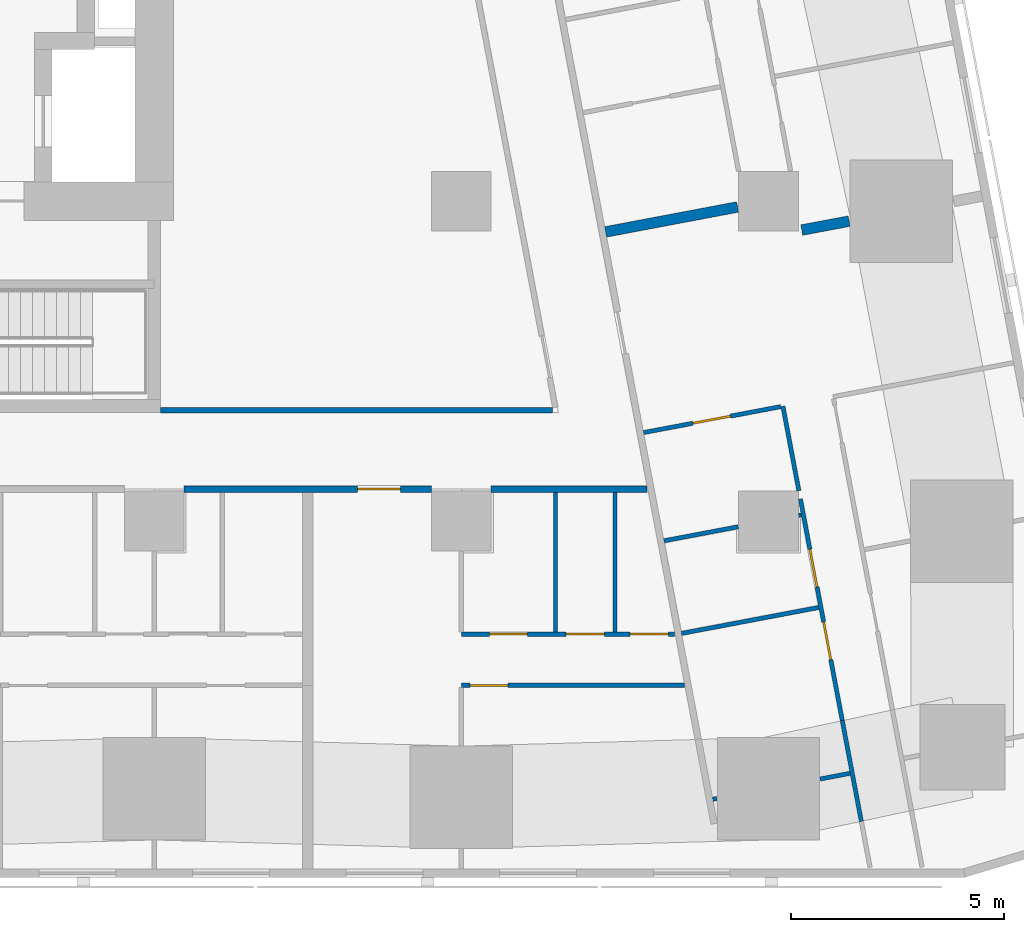
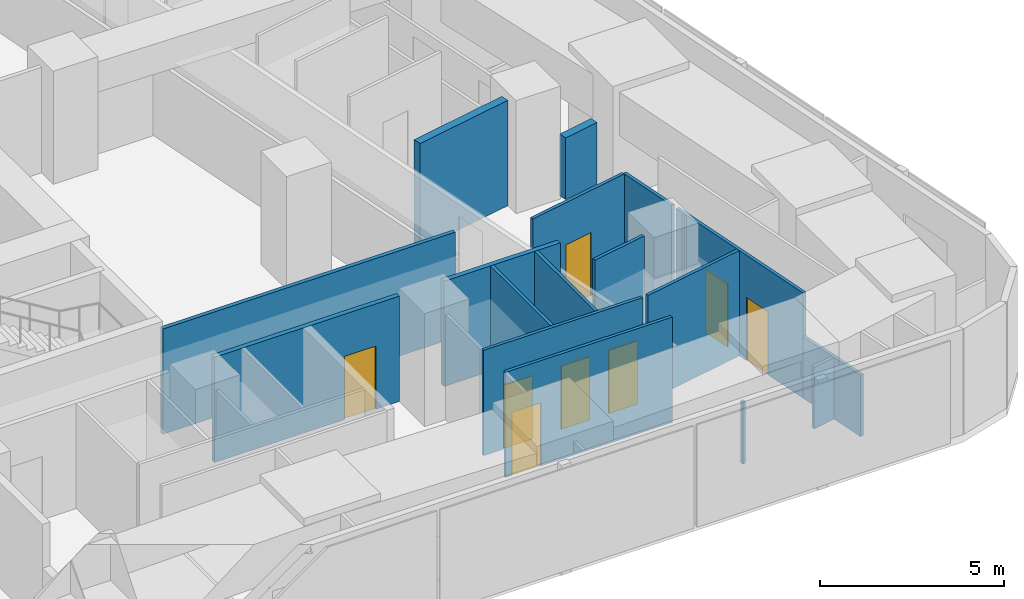
# One storey, part 3 of 10: 18 walls, 8 doors, 8 openings.
"""IFC4 building model written with IfcOpenShell, lengths in metres."""

import ifcopenshell
import ifcopenshell.guid

model = None  # the IFC model being written
_history = None  # IfcOwnerHistory: only IFC2X3 demands one
_inside = {}  # id of a spatial element -> (the spatial element, [elements in it])
_under = {}  # id of a project, library or spatial element -> (it, [spatial elements below it])
_declared = {}  # id of a project -> (the project, [libraries it declares])
_typed = {}  # id of a type object -> (the type object, [elements of that type])
_made_of = {}  # id of a material, layer set ... -> (it, [elements and type objects made of it])


def new_model(schema):
    """Start an empty IFC model of exactly this schema.

    Asked for "IFC4X3", IfcOpenShell would pick the latest addendum, in which some entities
    have other attributes; the version numbers below select the first issue.
    IFC2X3 requires an IfcOwnerHistory on every rooted entity: one is made here for all.
    """
    global model, _history
    if schema == "IFC4X3":
        model = ifcopenshell.file(schema_version=(4, 3, 0, 0))
    else:
        model = ifcopenshell.file(schema=schema)
    _inside.clear()
    _under.clear()
    _declared.clear()
    _typed.clear()
    _made_of.clear()
    _history = None
    if model.schema == "IFC2X3":
        org = make("IfcOrganization", Name="unknown")
        user = make(
            "IfcPersonAndOrganization",
            ThePerson=make("IfcPerson", FamilyName="unknown"),
            TheOrganization=org,
        )
        app = make(
            "IfcApplication",
            ApplicationDeveloper=org,
            Version="unknown",
            ApplicationFullName="unknown",
            ApplicationIdentifier="unknown",
        )
        _history = make(
            "IfcOwnerHistory",
            OwningUser=user,
            OwningApplication=app,
            ChangeAction="ADDED",
            CreationDate=0,
        )
    return model


def make(cls, **values):
    """One entity of the class cls with the attributes given. An attribute that is None is left unset."""
    return model.create_entity(
        cls, **{name: value for name, value in values.items() if value is not None}
    )


def rooted(cls, **values):
    """An entity with a GlobalId (a new one), such as an element, a storey or a relation."""
    return make(cls, GlobalId=ifcopenshell.guid.new(), OwnerHistory=_history, **values)


def si_unit(unit_type, name, prefix=None):
    """IfcSIUnit, for example si_unit("LENGTHUNIT", "METRE", prefix="MILLI")."""
    return make("IfcSIUnit", UnitType=unit_type, Prefix=prefix, Name=name)


def assignment(units):
    """IfcUnitAssignment: the units of a project."""
    return None if units is None else make("IfcUnitAssignment", Units=units)


def point(xyz):
    """IfcCartesianPoint."""
    return None if xyz is None else make("IfcCartesianPoint", Coordinates=xyz)


def direction(xyz):
    """IfcDirection."""
    return None if xyz is None else make("IfcDirection", DirectionRatios=xyz)


def frame(location, z_axis=None, x_axis=None):
    """IfcAxis2Placement3D, a coordinate frame: its origin and axes. An axis left out is left unset."""
    return make(
        "IfcAxis2Placement3D",
        Location=point(location),
        Axis=direction(z_axis),
        RefDirection=direction(x_axis),
    )


def frame_2d(location, x_axis=None):
    """IfcAxis2Placement2D, a coordinate frame in the plane: its origin and x axis."""
    return make(
        "IfcAxis2Placement2D", Location=point(location), RefDirection=direction(x_axis)
    )


def origin():
    """The frame at (0, 0, 0) with its axes left unset."""
    return frame((0.0, 0.0, 0.0))


def place(relative_to, where):
    """IfcLocalPlacement: puts the frame where relative to a parent placement (None: the world)."""
    return make(
        "IfcLocalPlacement", PlacementRelTo=relative_to, RelativePlacement=where
    )


def context(
    kind, dimensions, precision=None, world=None, true_north=None, identifier=None
):
    """IfcGeometricRepresentationContext, for example the 3D "Model" context."""
    return make(
        "IfcGeometricRepresentationContext",
        ContextIdentifier=identifier,
        ContextType=kind,
        CoordinateSpaceDimension=dimensions,
        Precision=precision,
        WorldCoordinateSystem=world,
        TrueNorth=true_north,
    )


def subcontext(parent, identifier, kind, view, scale=None):
    """IfcGeometricRepresentationSubContext, for example "Body" below "Model"."""
    return make(
        "IfcGeometricRepresentationSubContext",
        ContextIdentifier=identifier,
        ContextType=kind,
        ParentContext=parent,
        TargetScale=scale,
        TargetView=view,
    )


def project(units=None, contexts=None):
    """IfcProject with its units and contexts."""
    return rooted(
        "IfcProject",
        Name="project",
        RepresentationContexts=contexts,
        UnitsInContext=assignment(units),
    )


def spatial(cls, under=None, at=None, **own):
    """A site, building, storey or space (cls), placed at a placement, below another one or the project."""
    s = rooted(cls, ObjectPlacement=at, **own)
    if under is not None:
        _under.setdefault(under.id(), (under, []))[1].append(s)
    return s


def profile(cls, at=None, kind="AREA", **sizes):
    """A parametric profile (cls). Its sizes go by their IFC names, for example OverallWidth=200.0."""
    return make(cls, ProfileType=kind, Position=at, **sizes)


def rectangle(**sizes):
    """IfcRectangleProfileDef."""
    return profile("IfcRectangleProfileDef", **sizes)


def extrude(swept, where, along, depth):
    """IfcExtrudedAreaSolid: the profile swept, set in the frame where, extruded along a direction by depth."""
    return make(
        "IfcExtrudedAreaSolid",
        SweptArea=swept,
        Position=where,
        ExtrudedDirection=direction(along),
        Depth=depth,
    )


def shape(context_of_items, identifier, shape_type, items):
    """IfcShapeRepresentation: the items that make up one representation, for example the "Body"."""
    return make(
        "IfcShapeRepresentation",
        ContextOfItems=context_of_items,
        RepresentationIdentifier=identifier,
        RepresentationType=shape_type,
        Items=items,
    )


def material(Name=None, Category=None):
    """IfcMaterial."""
    return make("IfcMaterial", Name=Name, Category=Category)


def layer(
    of_material, thickness, ventilated=None, Name=None, Category=None, Priority=None
):
    """IfcMaterialLayer: one layer of a wall or slab, of a material (None: an air gap)."""
    return make(
        "IfcMaterialLayer",
        Material=of_material,
        LayerThickness=thickness,
        IsVentilated=ventilated,
        Name=Name,
        Category=Category,
        Priority=Priority,
    )


def layer_set(layers, Name=None):
    """IfcMaterialLayerSet."""
    return make("IfcMaterialLayerSet", MaterialLayers=layers, LayerSetName=Name)


def made_of(thing, what):
    """Note that an element or type object is made of a material, layer set ...; save() writes the relation."""
    if what is not None:
        _made_of.setdefault(what.id(), (what, []))[1].append(thing)
    return thing


def type_object(cls, material=None, **own):
    """A type object (cls), such as IfcWallType, which elements share."""
    return made_of(rooted(cls, **own), material)


def element(
    cls,
    number,
    at=None,
    inside=None,
    cuts=None,
    type_object=None,
    material=None,
    context=None,
    identifier="Body",
    shape_type=None,
    held_by="IfcProductDefinitionShape",
    body=None,
    shapes=None,
    **own,
):
    """One element of the class cls, such as IfcWall. Its Tag is "e" and its number.

    at: its placement. inside: the storey or other place that contains it. cuts: it is an
    opening in that element (IfcRelVoidsElement). A single representation is given by context,
    identifier, shape_type and body (its items); several are given by shapes. held_by: the class
    of the entity that holds the representations. save() writes the other relations.
    """
    e = rooted(cls, Tag="e%d" % number, ObjectPlacement=at, **own)
    if body is not None:
        shapes = [shape(context, identifier, shape_type, body)]
    if shapes is not None:
        e.Representation = make(held_by, Representations=shapes)
    if inside is not None:
        _inside.setdefault(inside.id(), (inside, []))[1].append(e)
    if cuts is not None:
        rooted(
            "IfcRelVoidsElement", RelatingBuildingElement=cuts, RelatedOpeningElement=e
        )
    if type_object is not None:
        _typed.setdefault(type_object.id(), (type_object, []))[1].append(e)
    return made_of(e, material)


def fill(opening, filler):
    """IfcRelFillsElement: the door or window that sits in an opening."""
    return rooted(
        "IfcRelFillsElement",
        RelatingOpeningElement=opening,
        RelatedBuildingElement=filler,
    )


def aggregate(whole, parts):
    """IfcRelAggregates: a whole, such as a stair, and the parts it consists of."""
    return rooted("IfcRelAggregates", RelatingObject=whole, RelatedObjects=parts)


def save(model, path):
    """Write the relations noted so far, then the file.

    IfcRelAggregates (storeys below a building ...), IfcRelContainedInSpatialStructure (elements
    in a storey), IfcRelDefinesByType, IfcRelAssociatesMaterial and IfcRelDeclares: one each for
    every whole, place, type object, material and project.
    """
    for whole, parts in _under.values():
        aggregate(whole, parts)
    for where, things in _inside.values():
        rooted(
            "IfcRelContainedInSpatialStructure",
            RelatedElements=things,
            RelatingStructure=where,
        )
    for kind, things in _typed.values():
        rooted("IfcRelDefinesByType", RelatedObjects=things, RelatingType=kind)
    for what, things in _made_of.values():
        rooted("IfcRelAssociatesMaterial", RelatedObjects=things, RelatingMaterial=what)
    for by, libraries in _declared.values():
        rooted("IfcRelDeclares", RelatingContext=by, RelatedDefinitions=libraries)
    model.write(path)


model = new_model("IFC4")

# Units and contexts
model_context = context("Model", 3, precision=1e-05, world=origin(), true_north=direction((0.0, 1.0)))
body_context = subcontext(model_context, "Body", "Model", "MODEL_VIEW")
ifc_project = project(units=[si_unit("LENGTHUNIT", "METRE"), si_unit("AREAUNIT", "SQUARE_METRE"), si_unit("VOLUMEUNIT", "CUBIC_METRE"), si_unit("PLANEANGLEUNIT", "RADIAN"), si_unit("MASSUNIT", "GRAM", prefix="KILO")], contexts=[model_context])

# Site, building, storey
site_placement = place(None, origin())
site = spatial("IfcSite", under=ifc_project, at=site_placement, CompositionType="ELEMENT")
building_placement = place(site_placement, origin())
building = spatial("IfcBuilding", under=site, at=building_placement, Name="Sheger Commons Tower", CompositionType="ELEMENT")
storey_placement = place(building_placement, frame((0.0, 0.0, 234.949951171875)))
storey = spatial("IfcBuildingStorey", under=building, at=storey_placement, Name="L60", CompositionType="ELEMENT", Elevation=234.949951171875)

# Wall
ifc_material_1 = material(Name="Hollow concrete block masonry, skimmed both sides", Category="masonry")
ifc_layer_1 = layer(ifc_material_1, 0.14990234375)
ifc_layer_set_1 = layer_set([ifc_layer_1], Name="CORRIDOR WALL 150")
wall_type_1 = type_object("IfcWallType", Name="CORRIDOR WALL 150", PredefinedType="SOLIDWALL", material=ifc_layer_set_1)
wall_1_placement = place(storey_placement, frame((40.35498046875, 8.25, 0.0), z_axis=(0.0, 0.0, 1.0), x_axis=(-1.0, 0.0, 0.0)))
element("IfcWall", 1, at=wall_1_placement, inside=storey, type_object=wall_type_1, Name="Corridor wall L60", PredefinedType="SOLIDWALL", context=body_context, shape_type="SweptSolid", body=[
    extrude(rectangle(XDim=3.654052734375, YDim=0.14990234375, at=frame_2d((1.8271484375, 0.0))), origin(), (0.0, 0.0, 1.0), 3.5),
])

# Wall, opening, door
wall_2_placement = place(storey_placement, frame((35.299072265625, 8.25, 0.0), z_axis=(0.0, 0.0, 1.0), x_axis=(-1.0, 0.0, 0.0)))
wall_2 = element("IfcWall", 2, at=wall_2_placement, inside=storey, type_object=wall_type_1, Name="Corridor wall L60", PredefinedType="SOLIDWALL", context=body_context, shape_type="SweptSolid", body=[
    extrude(rectangle(XDim=5.798095703125, YDim=0.14990234375, at=frame_2d((2.89892578125, 0.0))), origin(), (0.0, 0.0, 1.0), 3.5),
])
opening_1_placement = place(wall_2_placement, frame((0.72802734375, 0.0, 0.0)))
opening_1 = element("IfcOpeningElement", 3, at=opening_1_placement, cuts=wall_2, Name="Opening D1", PredefinedType="OPENING", context=body_context, shape_type="SweptSolid", body=[
    extrude(rectangle(XDim=1.0, YDim=2.10009765625, at=frame_2d((0.5, 1.050048828125))), frame((0.0, 0.0849609375, 0.0), z_axis=(0.0, -1.0, 0.0), x_axis=(1.0, 0.0, 0.0)), (0.0, 0.0, 1.0), 0.169921875),
])
ifc_material_2 = material(Name="Steel door set, fire rated", Category="steel")
door_type_1 = type_object("IfcDoorType", Name="FLAT ENTRANCE DOOR 1000x2100", OperationType="NOTDEFINED", PredefinedType="DOOR", material=ifc_material_2)
door_1_placement = place(opening_1_placement, origin())
door_1 = element("IfcDoor", 4, at=door_1_placement, inside=storey, type_object=door_type_1, Name="Flat entrance door", OperationType="SINGLE_SWING_LEFT", OverallHeight=2.10009765625, OverallWidth=1.0, PredefinedType="DOOR", context=body_context, shape_type="SweptSolid", body=[
    extrude(rectangle(XDim=1.0, YDim=2.10009765625, at=frame_2d((0.5, 1.050048828125))), frame((0.0, 0.02490234375, 0.0), z_axis=(0.0, -1.0, 0.0), x_axis=(1.0, 0.0, 0.0)), (0.0, 0.0, 1.0), 0.050048828125),
])
fill(opening_1, door_1)

# Walls
ifc_material_3 = material(Name="Dense concrete block masonry, plastered both sides (separating wall between flats)", Category="masonry")
ifc_layer_2 = layer(ifc_material_3, 0.25)
ifc_layer_set_2 = layer_set([ifc_layer_2], Name="DEMISING WALL 250")
wall_type_2 = type_object("IfcWallType", Name="DEMISING WALL 250", PredefinedType="SOLIDWALL", material=ifc_layer_set_2)
wall_3_placement = place(storey_placement, frame((45.090087890625, 14.531005859375, 0.0), z_axis=(0.0, 0.0, 1.0), x_axis=(-0.982737354171, -0.185006196431, 0.0)))
element("IfcWall", 5, at=wall_3_placement, inside=storey, type_object=wall_type_2, Name="Demising wall L60", PredefinedType="SOLIDWALL", context=body_context, shape_type="SweptSolid", body=[
    extrude(rectangle(XDim=1.129638671875, YDim=0.25, at=frame_2d((0.56494140625, 0.0))), origin(), (0.0, 0.0, 1.0), 2.050048828125),
])
wall_4_placement = place(storey_placement, frame((42.47607421875, 14.863037109375, 0.0), z_axis=(0.0, 0.0, 1.0), x_axis=(-0.982638716117, -0.185529387398, 0.0)))
element("IfcWall", 6, at=wall_4_placement, inside=storey, type_object=wall_type_2, Name="Demising wall L60", PredefinedType="SOLIDWALL", context=body_context, shape_type="SweptSolid", body=[
    extrude(rectangle(XDim=3.147705078125, YDim=0.25, at=frame_2d((1.57373046875, 0.0))), origin(), (0.0, 0.0, 1.0), 3.5),
])

# Wall, opening, door
ifc_material_4 = material(Name="Gypsum board on steel studs", Category="steel")
ifc_layer_3 = layer(ifc_material_4, 0.10009765625)
ifc_layer_set_3 = layer_set([ifc_layer_3], Name="PARTITION 100")
wall_type_3 = type_object("IfcWallType", Name="PARTITION 100", PredefinedType="PARTITIONING", material=ifc_layer_set_3)
wall_5_placement = place(storey_placement, frame((41.22900390625, 3.64990234375, 0.0), z_axis=(0.0, 0.0, 1.0), x_axis=(-1.0, 0.0, 0.0)))
wall_5 = element("IfcWall", 7, at=wall_5_placement, inside=storey, type_object=wall_type_3, Name="Partition L60", PredefinedType="PARTITIONING", context=body_context, shape_type="SweptSolid", body=[
    extrude(rectangle(XDim=5.22900390625, YDim=0.10009765625, at=frame_2d((2.614501953125, 0.0))), origin(), (0.0, 0.0, 1.0), 3.5),
])
opening_2_placement = place(wall_5_placement, frame((4.12890625, 0.0, 0.0)))
opening_2 = element("IfcOpeningElement", 8, at=opening_2_placement, cuts=wall_5, Name="Opening D2", PredefinedType="OPENING", context=body_context, shape_type="SweptSolid", body=[
    extrude(rectangle(XDim=0.89990234375, YDim=2.10009765625, at=frame_2d((0.449951171875, 1.050048828125))), frame((0.0, 0.06005859375, 0.0), z_axis=(0.0, -1.0, 0.0), x_axis=(1.0, 0.0, 0.0)), (0.0, 0.0, 1.0), 0.1201171875),
])
ifc_material_5 = material(Name="Timber door set", Category="wood")
door_type_2 = type_object("IfcDoorType", Name="INTERNAL DOOR 900x2100", OperationType="NOTDEFINED", PredefinedType="DOOR", material=ifc_material_5)
door_2_placement = place(opening_2_placement, origin())
door_2 = element("IfcDoor", 9, at=door_2_placement, inside=storey, type_object=door_type_2, Name="Main bedroom door", OperationType="SINGLE_SWING_LEFT", OverallHeight=2.10009765625, OverallWidth=0.89990234375, PredefinedType="DOOR", context=body_context, shape_type="SweptSolid", body=[
    extrude(rectangle(XDim=0.89990234375, YDim=2.10009765625, at=frame_2d((0.449951171875, 1.050048828125))), frame((0.0, 0.02490234375, 0.0), z_axis=(0.0, -1.0, 0.0), x_axis=(1.0, 0.0, 0.0)), (0.0, 0.0, 1.0), 0.050048828125),
])
fill(opening_2, door_2)

# Wall, openings, doors
wall_6_placement = place(storey_placement, frame((41.001953125, 4.85009765625, 0.0), z_axis=(0.0, 0.0, 1.0), x_axis=(-1.0, 0.0, 0.0)))
wall_6 = element("IfcWall", 10, at=wall_6_placement, inside=storey, type_object=wall_type_3, Name="Partition L60", PredefinedType="PARTITIONING", context=body_context, shape_type="SweptSolid", body=[
    extrude(rectangle(XDim=5.001953125, YDim=0.10009765625, at=frame_2d((2.5009765625, 0.0))), origin(), (0.0, 0.0, 1.0), 3.5),
])
opening_3_placement = place(wall_6_placement, frame((3.447021484375, 0.0, 0.0)))
opening_3 = element("IfcOpeningElement", 11, at=opening_3_placement, cuts=wall_6, Name="Opening D2", PredefinedType="OPENING", context=body_context, shape_type="SweptSolid", body=[
    extrude(rectangle(XDim=0.89990234375, YDim=2.10009765625, at=frame_2d((0.449951171875, 1.050048828125))), frame((0.0, 0.06005859375, 0.0), z_axis=(0.0, -1.0, 0.0), x_axis=(1.0, 0.0, 0.0)), (0.0, 0.0, 1.0), 0.1201171875),
])
opening_4_placement = place(wall_6_placement, frame((0.14990234375, 0.0, 0.0)))
opening_4 = element("IfcOpeningElement", 12, at=opening_4_placement, cuts=wall_6, Name="Opening D2", PredefinedType="OPENING", context=body_context, shape_type="SweptSolid", body=[
    extrude(rectangle(XDim=0.89990234375, YDim=2.10009765625, at=frame_2d((0.449951171875, 1.050048828125))), frame((0.0, 0.06005859375, 0.0), z_axis=(0.0, -1.0, 0.0), x_axis=(1.0, 0.0, 0.0)), (0.0, 0.0, 1.0), 0.1201171875),
])
opening_5_placement = place(wall_6_placement, frame((1.64697265625, 0.0, 0.0)))
opening_5 = element("IfcOpeningElement", 13, at=opening_5_placement, cuts=wall_6, Name="Opening D2", PredefinedType="OPENING", context=body_context, shape_type="SweptSolid", body=[
    extrude(rectangle(XDim=0.89990234375, YDim=2.10009765625, at=frame_2d((0.449951171875, 1.050048828125))), frame((0.0, 0.06005859375, 0.0), z_axis=(0.0, -1.0, 0.0), x_axis=(1.0, 0.0, 0.0)), (0.0, 0.0, 1.0), 0.1201171875),
])
door_3_placement = place(opening_3_placement, origin())
door_3 = element("IfcDoor", 14, at=door_3_placement, inside=storey, type_object=door_type_2, Name="Bathroom door", OperationType="SINGLE_SWING_LEFT", OverallHeight=2.10009765625, OverallWidth=0.89990234375, PredefinedType="DOOR", context=body_context, shape_type="SweptSolid", body=[
    extrude(rectangle(XDim=0.89990234375, YDim=2.10009765625, at=frame_2d((0.449951171875, 1.050048828125))), frame((0.0, 0.02490234375, 0.0), z_axis=(0.0, -1.0, 0.0), x_axis=(1.0, 0.0, 0.0)), (0.0, 0.0, 1.0), 0.050048828125),
])
fill(opening_3, door_3)
door_4_placement = place(opening_4_placement, origin())
door_4 = element("IfcDoor", 15, at=door_4_placement, inside=storey, type_object=door_type_2, Name="Laundry room door", OperationType="SINGLE_SWING_RIGHT", OverallHeight=2.10009765625, OverallWidth=0.89990234375, PredefinedType="DOOR", context=body_context, shape_type="SweptSolid", body=[
    extrude(rectangle(XDim=0.89990234375, YDim=2.10009765625, at=frame_2d((0.449951171875, 1.050048828125))), frame((0.0, 0.02490234375, 0.0), z_axis=(0.0, -1.0, 0.0), x_axis=(1.0, 0.0, 0.0)), (0.0, 0.0, 1.0), 0.050048828125),
])
fill(opening_4, door_4)
door_5_placement = place(opening_5_placement, origin())
door_5 = element("IfcDoor", 16, at=door_5_placement, inside=storey, type_object=door_type_2, Name="Store door", OperationType="SINGLE_SWING_LEFT", OverallHeight=2.10009765625, OverallWidth=0.89990234375, PredefinedType="DOOR", context=body_context, shape_type="SweptSolid", body=[
    extrude(rectangle(XDim=0.89990234375, YDim=2.10009765625, at=frame_2d((0.449951171875, 1.050048828125))), frame((0.0, 0.02490234375, 0.0), z_axis=(0.0, -1.0, 0.0), x_axis=(1.0, 0.0, 0.0)), (0.0, 0.0, 1.0), 0.050048828125),
])
fill(opening_5, door_5)

# Walls
for number, where, z_axis, x_axis, name in (
    (17, (39.60009765625, 4.89990234375, 0.0), (0.0, 0.0, 1.0), (0.0, 1.0, 0.0), "Partition L60"),
    (18, (38.2099609375, 4.89990234375, 0.0), (0.0, 0.0, 1.0), (0.0, 1.0, 0.0), "Partition L60"),
):
    element("IfcWall", number, at=place(storey_placement, frame(where, z_axis=z_axis, x_axis=x_axis)), inside=storey, type_object=wall_type_3, Name=name, PredefinedType="PARTITIONING", context=body_context, shape_type="SweptSolid", body=[
        extrude(rectangle(XDim=3.275146484375, YDim=0.10009765625, at=frame_2d((1.6376953125, 0.0))), origin(), (0.0, 0.0, 1.0), 3.5),
    ])
wall_7_placement = place(storey_placement, frame((43.5390625, 10.19189453125, 0.0), z_axis=(0.0, 0.0, 1.0), x_axis=(0.185443145218, -0.982654995353, 0.0)))
element("IfcWall", 19, at=wall_7_placement, inside=storey, type_object=wall_type_3, Name="Partition L60", PredefinedType="PARTITIONING", context=body_context, shape_type="SweptSolid", body=[
    extrude(rectangle(XDim=2.016845703125, YDim=0.10009765625, at=frame_2d((1.00830078125, 0.0))), origin(), (0.0, 0.0, 1.0), 3.5),
])

# Wall, openings, doors
wall_8_placement = place(storey_placement, frame((43.948974609375, 8.02001953125, 0.0), z_axis=(0.0, 0.0, 1.0), x_axis=(0.185656792073, -0.982614652627, 0.0)))
wall_8 = element("IfcWall", 20, at=wall_8_placement, inside=storey, type_object=wall_type_3, Name="Partition L60", PredefinedType="PARTITIONING", context=body_context, shape_type="SweptSolid", body=[
    extrude(rectangle(XDim=5.2890625, YDim=0.10009765625, at=frame_2d((2.64453125, 0.0))), origin(), (0.0, 0.0, 1.0), 3.5),
])
opening_6_placement = place(wall_8_placement, frame((1.199951171875, 0.0, 0.0)))
opening_6 = element("IfcOpeningElement", 21, at=opening_6_placement, cuts=wall_8, Name="Opening D2", PredefinedType="OPENING", context=body_context, shape_type="SweptSolid", body=[
    extrude(rectangle(XDim=0.89990234375, YDim=2.10009765625, at=frame_2d((0.449951171875, 1.050048828125))), frame((0.0, 0.06005859375, 0.0), z_axis=(0.0, -1.0, 0.0), x_axis=(1.0, 0.0, 0.0)), (0.0, 0.0, 1.0), 0.1201171875),
])
opening_7_placement = place(wall_8_placement, frame((2.93505859375, 0.0, 0.0)))
opening_7 = element("IfcOpeningElement", 22, at=opening_7_placement, cuts=wall_8, Name="Opening D2", PredefinedType="OPENING", context=body_context, shape_type="SweptSolid", body=[
    extrude(rectangle(XDim=0.89990234375, YDim=2.10009765625, at=frame_2d((0.449951171875, 1.050048828125))), frame((0.0, 0.06005859375, 0.0), z_axis=(0.0, -1.0, 0.0), x_axis=(1.0, 0.0, 0.0)), (0.0, 0.0, 1.0), 0.1201171875),
])
door_6_placement = place(opening_6_placement, origin())
door_6 = element("IfcDoor", 23, at=door_6_placement, inside=storey, type_object=door_type_2, Name="Bathroom door", OperationType="SINGLE_SWING_LEFT", OverallHeight=2.10009765625, OverallWidth=0.89990234375, PredefinedType="DOOR", context=body_context, shape_type="SweptSolid", body=[
    extrude(rectangle(XDim=0.89990234375, YDim=2.10009765625, at=frame_2d((0.449951171875, 1.050048828125))), frame((0.0, 0.02490234375, 0.0), z_axis=(0.0, -1.0, 0.0), x_axis=(1.0, 0.0, 0.0)), (0.0, 0.0, 1.0), 0.050048828125),
])
fill(opening_6, door_6)
door_7_placement = place(opening_7_placement, origin())
door_7 = element("IfcDoor", 24, at=door_7_placement, inside=storey, type_object=door_type_2, Name="Store door", OperationType="SINGLE_SWING_RIGHT", OverallHeight=2.10009765625, OverallWidth=0.89990234375, PredefinedType="DOOR", context=body_context, shape_type="SweptSolid", body=[
    extrude(rectangle(XDim=0.89990234375, YDim=2.10009765625, at=frame_2d((0.449951171875, 1.050048828125))), frame((0.0, 0.02490234375, 0.0), z_axis=(0.0, -1.0, 0.0), x_axis=(1.0, 0.0, 0.0)), (0.0, 0.0, 1.0), 0.050048828125),
])
fill(opening_7, door_7)

# Wall
wall_9_placement = place(storey_placement, frame((44.930908203125, 2.822998046875, 0.0), z_axis=(0.0, 0.0, 1.0), x_axis=(0.185631845838, -0.982619365681, 0.0)))
element("IfcWall", 25, at=wall_9_placement, inside=storey, type_object=wall_type_3, Name="Partition L60", PredefinedType="PARTITIONING", context=body_context, shape_type="SweptSolid", body=[
    extrude(rectangle(XDim=2.40283203125, YDim=0.10009765625, at=frame_2d((1.201416015625, 0.0))), origin(), (0.0, 0.0, 1.0), 2.050048828125),
])

# Wall, opening, door
wall_10_placement = place(storey_placement, frame((43.489990234375, 10.18310546875, 0.0), z_axis=(0.0, 0.0, 1.0), x_axis=(-0.982607026909, -0.185697147715, 0.0)))
wall_10 = element("IfcWall", 26, at=wall_10_placement, inside=storey, type_object=wall_type_3, Name="Partition L60", PredefinedType="PARTITIONING", context=body_context, shape_type="SweptSolid", body=[
    extrude(rectangle(XDim=3.27490234375, YDim=0.10009765625, at=frame_2d((1.637451171875, 0.0))), origin(), (0.0, 0.0, 1.0), 3.5),
])
opening_8_placement = place(wall_10_placement, frame((1.199951171875, 0.0, 0.0)))
opening_8 = element("IfcOpeningElement", 27, at=opening_8_placement, cuts=wall_10, Name="Opening D2", PredefinedType="OPENING", context=body_context, shape_type="SweptSolid", body=[
    extrude(rectangle(XDim=0.89990234375, YDim=2.10009765625, at=frame_2d((0.449951171875, 1.050048828125))), frame((0.0, 0.06005859375, 0.0), z_axis=(0.0, -1.0, 0.0), x_axis=(1.0, 0.0, 0.0)), (0.0, 0.0, 1.0), 0.1201171875),
])
door_8_placement = place(opening_8_placement, origin())
door_8 = element("IfcDoor", 28, at=door_8_placement, inside=storey, type_object=door_type_2, Name="Store door", OperationType="SINGLE_SWING_RIGHT", OverallHeight=2.10009765625, OverallWidth=0.89990234375, PredefinedType="DOOR", context=body_context, shape_type="SweptSolid", body=[
    extrude(rectangle(XDim=0.89990234375, YDim=2.10009765625, at=frame_2d((0.449951171875, 1.050048828125))), frame((0.0, 0.02490234375, 0.0), z_axis=(0.0, -1.0, 0.0), x_axis=(1.0, 0.0, 0.0)), (0.0, 0.0, 1.0), 0.050048828125),
])
fill(opening_8, door_8)

# Walls
wall_11_placement = place(storey_placement, frame((43.968994140625, 7.64599609375, 0.0), z_axis=(0.0, 0.0, 1.0), x_axis=(-0.983147034646, -0.182816597351, 0.0)))
element("IfcWall", 29, at=wall_11_placement, inside=storey, type_object=wall_type_3, Name="Partition L60", PredefinedType="PARTITIONING", context=body_context, shape_type="SweptSolid", body=[
    extrude(rectangle(XDim=0.06005859375, YDim=0.10009765625, at=frame_2d((0.030029296875, 0.0))), origin(), (0.0, 0.0, 1.0), 3.5),
])
wall_12_placement = place(storey_placement, frame((42.489990234375, 7.366943359375, 0.0), z_axis=(0.0, 0.0, 1.0), x_axis=(-0.982585223885, -0.185812480215, 0.0)))
element("IfcWall", 30, at=wall_12_placement, inside=storey, type_object=wall_type_3, Name="Partition L60", PredefinedType="PARTITIONING", context=body_context, shape_type="SweptSolid", body=[
    extrude(rectangle(XDim=1.769775390625, YDim=0.10009765625, at=frame_2d((0.884765625, 0.0))), origin(), (0.0, 0.0, 1.0), 3.5),
])
wall_13_placement = place(storey_placement, frame((45.114013671875, 1.5869140625, 0.0), z_axis=(0.0, 0.0, 1.0), x_axis=(-0.982671022916, -0.185358195723, 0.0)))
element("IfcWall", 31, at=wall_13_placement, inside=storey, type_object=wall_type_3, Name="Partition L60", PredefinedType="PARTITIONING", context=body_context, shape_type="SweptSolid", body=[
    extrude(rectangle(XDim=0.716552734375, YDim=0.10009765625, at=frame_2d((0.3583984375, 0.0))), origin(), (0.0, 0.0, 1.0), 2.050048828125),
])
wall_14_placement = place(storey_placement, frame((41.989990234375, 0.9970703125, 0.0), z_axis=(0.0, 0.0, 1.0), x_axis=(-0.982382747416, -0.186880008506, 0.0)))
element("IfcWall", 32, at=wall_14_placement, inside=storey, type_object=wall_type_3, Name="Partition L60", PredefinedType="PARTITIONING", context=body_context, shape_type="SweptSolid", body=[
    extrude(rectangle(XDim=0.0966796875, YDim=0.10009765625, at=frame_2d((0.04833984375, 0.0))), origin(), (0.0, 0.0, 1.0), 2.050048828125),
])
wall_15_placement = place(storey_placement, frame((44.37890625, 5.47412109375, 0.0), z_axis=(0.0, 0.0, 1.0), x_axis=(-0.982607026909, -0.185697147715, 0.0)))
element("IfcWall", 33, at=wall_15_placement, inside=storey, type_object=wall_type_3, Name="Partition L60", PredefinedType="PARTITIONING", context=body_context, shape_type="SweptSolid", body=[
    extrude(rectangle(XDim=3.27490234375, YDim=0.10009765625, at=frame_2d((1.637451171875, 0.0))), origin(), (0.0, 0.0, 1.0), 3.5),
])
ifc_material_6 = material(Name="Gypsum board on steel studs, two layers each side, fire rated", Category="steel")
ifc_layer_4 = layer(ifc_material_6, 0.125)
ifc_layer_set_4 = layer_set([ifc_layer_4], Name="SERVICE WALL 125")
wall_type_4 = type_object("IfcWallType", Name="SERVICE WALL 125", PredefinedType="PARTITIONING", material=ifc_layer_set_4)
wall_16_placement = place(storey_placement, frame((28.949951171875, 10.10009765625, 0.0), z_axis=(0.0, 0.0, 1.0), x_axis=(1.0, 0.0, 0.0)))
element("IfcWall", 34, at=wall_16_placement, inside=storey, type_object=wall_type_4, Name="Service room wall L60", PredefinedType="PARTITIONING", context=body_context, shape_type="SweptSolid", body=[
    extrude(rectangle(XDim=9.18798828125, YDim=0.125, at=frame_2d((4.593994140625, 0.0))), origin(), (0.0, 0.0, 1.0), 3.5),
])

save(model, "model.ifc")
